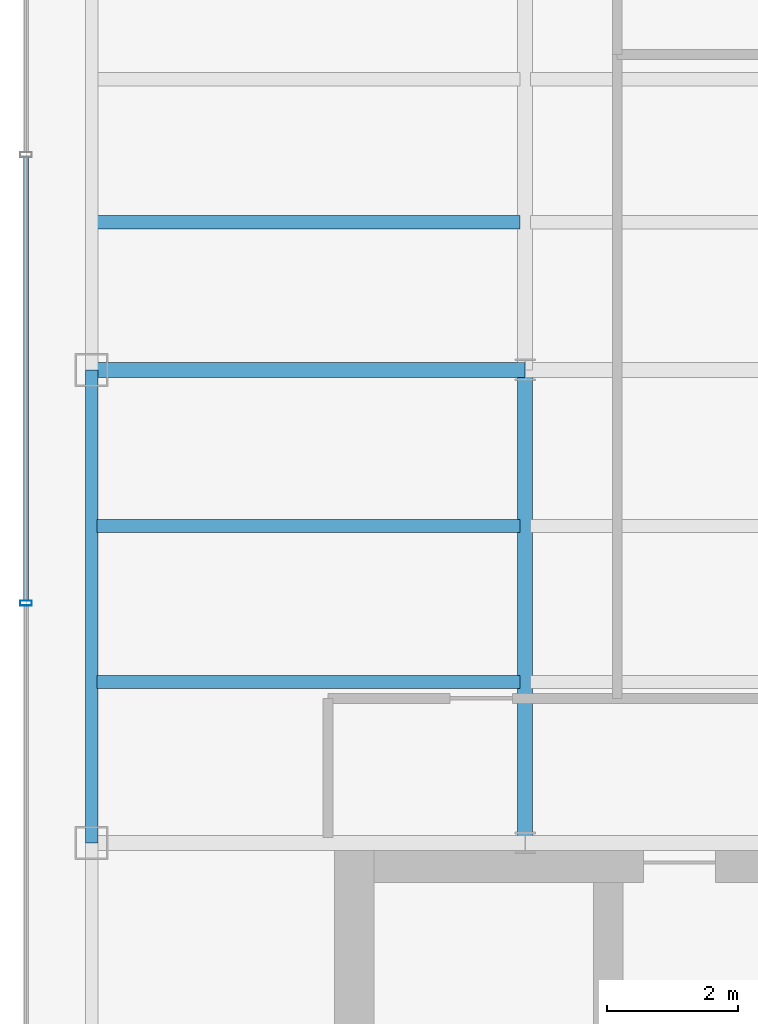
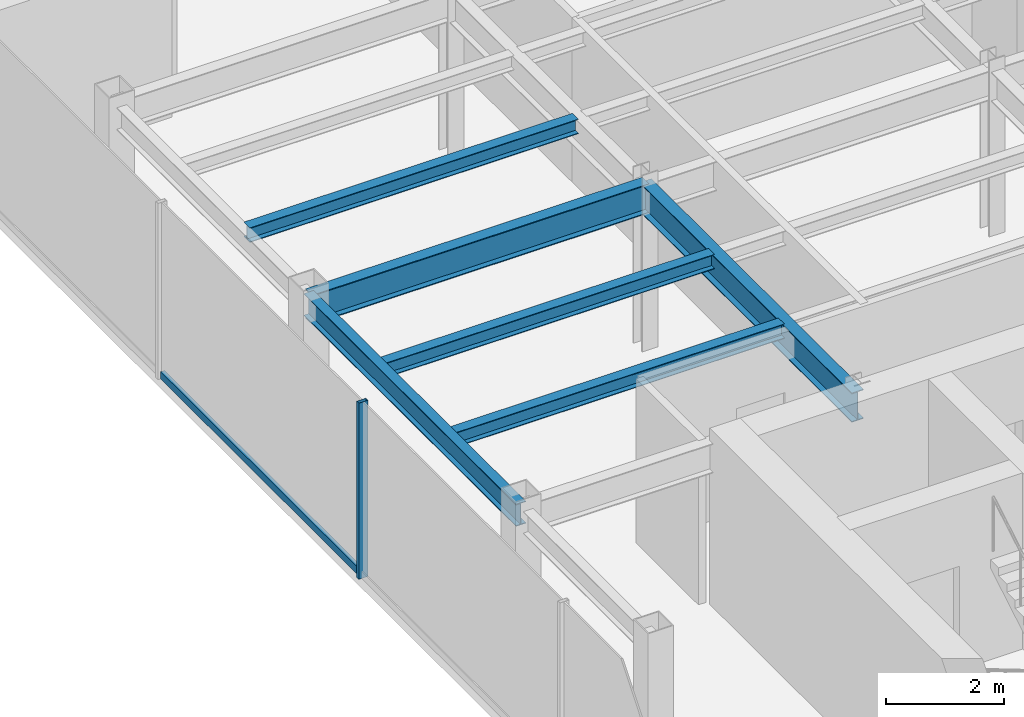
# One storey, part 5 of 22: 6 beams, 2 members, 1 element without a shape of its own.
"""IFC4 building model written with IfcOpenShell, lengths in metres."""

from ifc_helpers import new_model, si_unit, derived_unit, direction, frame, origin, origin_2d, place, context, subcontext, project, spatial, hollow_rectangle, i_section, extrude, source, transform, mapped, material, material_profile, profile_set, type_object, element, aggregate, save


model = new_model("IFC4")

# Units and contexts
model_context = context("Model", 3, precision=1e-05, world=origin(), true_north=direction((0.0, 1.0)))
body_context = subcontext(model_context, "Body", "Model", "MODEL_VIEW")
ifc_project = project(units=[si_unit("LENGTHUNIT", "METRE"), si_unit("AREAUNIT", "SQUARE_METRE"), si_unit("VOLUMEUNIT", "CUBIC_METRE"), si_unit("PLANEANGLEUNIT", "RADIAN"), si_unit("MASSUNIT", "GRAM", prefix="KILO"), derived_unit("THERMALTRANSMITTANCEUNIT", [(si_unit("POWERUNIT", "WATT"), 1), (si_unit("LENGTHUNIT", "METRE"), -2), (si_unit("THERMODYNAMICTEMPERATUREUNIT", "KELVIN"), -1)])], contexts=[model_context])

# Site, building, storey
site_placement = place(None, origin())
site = spatial("IfcSite", under=ifc_project, at=site_placement, CompositionType="ELEMENT")
building_placement = place(site_placement, origin())
building = spatial("IfcBuilding", under=site, at=building_placement, Name="Skarnbrae Concourse Arena and Tower", CompositionType="ELEMENT")
storey_placement = place(building_placement, frame((0.0, 0.0, 280.699951171875)))
storey = spatial("IfcBuildingStorey", under=building, at=storey_placement, Name="L73", CompositionType="ELEMENT", Elevation=280.699951171875)

# Beams
ifc_material_1 = material(Name="Steel CSA G40.21 350W", Category="steel")
ifc_material_profile_1 = material_profile(ifc_material_1, i_section(OverallWidth=0.22802734375, OverallDepth=0.60791015625, WebThickness=0.01123046875, FlangeThickness=0.017333984375, at=origin_2d()), Name="W610X113")
ifc_profile_set_1 = profile_set([ifc_material_profile_1], Name="Steel CSA G40.21 350W")
beam_type_1 = type_object("IfcBeamType", Name="BM-GIRD-W610X113", PredefinedType="BEAM", material=ifc_profile_set_1)
shared_shape_1 = source(origin(), body_context, "Body", "SweptSolid", [
    extrude(i_section(OverallWidth=0.22802734375, OverallDepth=0.60791015625, WebThickness=0.01123046875, FlangeThickness=0.017333984375, at=origin_2d()), origin(), (0.0, 0.0, 1.0), 6.60009765625),
])
beam_1_placement = place(storey_placement, frame((1.0, 21.199951171875, 3.095947265625), z_axis=(1.0, 0.0, 0.0), x_axis=(0.0, 1.0, 0.0)))
element("IfcBeam", 1, at=beam_1_placement, inside=storey, type_object=beam_type_1, Name="L73 Primary E-W girder Y21.2-1", PredefinedType="BEAM", context=body_context, shape_type="MappedRepresentation", body=[
    mapped(shared_shape_1, transform((0.0, 0.0, 0.0))),
])
ifc_material_profile_2 = material_profile(ifc_material_1, i_section(OverallWidth=0.19091796875, OverallDepth=0.4599609375, WebThickness=0.010009765625, FlangeThickness=0.01611328125, at=origin_2d()), Name="W460X82")
ifc_profile_set_2 = profile_set([ifc_material_profile_2], Name="Steel CSA G40.21 350W")
beam_type_2 = type_object("IfcBeamType", Name="BM-SPAN-W460X82", PredefinedType="SPANDREL", material=ifc_profile_set_2)
shared_shape_2 = source(origin(), body_context, "Body", "SweptSolid", [
    extrude(i_section(OverallWidth=0.19091796875, OverallDepth=0.4599609375, WebThickness=0.010009765625, FlangeThickness=0.01611328125, at=origin_2d()), origin(), (0.0, 0.0, 1.0), 7.199951171875),
])
beam_2_placement = place(storey_placement, frame((1.0, 14.0, 3.170166015625), z_axis=(0.0, 1.0, 0.0), x_axis=(-1.0, 0.0, 0.0)))
element("IfcBeam", 2, at=beam_2_placement, inside=storey, type_object=beam_type_2, Name="L73 Perimeter spandrel X1.0-2", PredefinedType="SPANDREL", context=body_context, shape_type="MappedRepresentation", body=[
    mapped(shared_shape_2, transform((0.0, 0.0, 0.0))),
])
shared_shape_3 = source(origin(), body_context, "Body", "SweptSolid", [
    extrude(i_section(OverallWidth=0.22802734375, OverallDepth=0.60791015625, WebThickness=0.01123046875, FlangeThickness=0.017333984375, at=origin_2d()), origin(), (0.0, 0.0, 1.0), 7.199951171875),
])
beam_3_placement = place(storey_placement, frame((7.60009765625, 14.0, 3.095947265625), z_axis=(0.0, 1.0, 0.0), x_axis=(-1.0, 0.0, 0.0)))
element("IfcBeam", 3, at=beam_3_placement, inside=storey, type_object=beam_type_1, Name="L73 Primary N-S girder X7.6-1", PredefinedType="BEAM", context=body_context, shape_type="MappedRepresentation", body=[
    mapped(shared_shape_3, transform((0.0, 0.0, 0.0))),
])
ifc_material_profile_3 = material_profile(ifc_material_1, i_section(OverallWidth=0.202880859375, OverallDepth=0.302978515625, WebThickness=0.007568359375, FlangeThickness=0.01318359375, at=origin_2d()), Name="W310X60")
ifc_profile_set_3 = profile_set([ifc_material_profile_3], Name="Steel CSA G40.21 350W")
beam_type_3 = type_object("IfcBeamType", Name="BM-JOIST-W310X60", PredefinedType="JOIST", material=ifc_profile_set_3)
shared_shape_4 = source(origin(), body_context, "Body", "SweptSolid", [
    extrude(i_section(OverallWidth=0.202880859375, OverallDepth=0.302978515625, WebThickness=0.007568359375, FlangeThickness=0.01318359375, at=origin_2d()), origin(), (0.0, 0.0, 1.0), 6.43994140625),
])
for number, where, z_axis, x_axis, name in (
    (4, (1.080078125, 16.447998046875, 3.24853515625), (1.0, 0.0, 0.0), (0.0, 1.0, 0.0), "L73 Secondary floor joist 1.1.1"),
    (5, (1.080078125, 18.823974609375, 3.24853515625), (1.0, 0.0, 0.0), (0.0, 1.0, 0.0), "L73 Secondary floor joist 1.2.1"),
    (6, (1.080078125, 23.444091796875, 3.24853515625), (1.0, 0.0, 0.0), (0.0, 1.0, 0.0), "L73 Secondary floor joist 2.1.1"),
):
    element("IfcBeam", number, at=place(storey_placement, frame(where, z_axis=z_axis, x_axis=x_axis)), inside=storey, type_object=beam_type_3, Name=name, PredefinedType="JOIST", context=body_context, shape_type="MappedRepresentation", body=[
        mapped(shared_shape_4, transform((0.0, 0.0, 0.0))),
    ])

# Curtain wall, members
ifc_material_2 = material(Name="Bronze anodised aluminium 6063-T6", Category="aluminium")
curtain_wall_type = type_object("IfcCurtainWallType", Name="CW-SYS-05-HIGHZONE", PredefinedType="USERDEFINED", material=ifc_material_2)
curtain_wall_placement = place(storey_placement, origin())
curtain_wall = element("IfcCurtainWall", 7, at=curtain_wall_placement, inside=storey, type_object=curtain_wall_type, Name="L73 Unitised curtain wall CW-L73-E18", ObjectType="UNITISED CURTAIN WALL", PredefinedType="USERDEFINED")
ifc_material_profile_4 = material_profile(ifc_material_2, hollow_rectangle(XDim=0.074951171875, YDim=0.14990234375, WallThickness=0.00390625, at=origin_2d()), Name="ALU-TRAN-75X150")
ifc_profile_set_4 = profile_set([ifc_material_profile_4], Name="Bronze anodised aluminium 6063-T6")
member_type_1 = type_object("IfcMemberType", Name="CWT-CW-05", PredefinedType="USERDEFINED", material=ifc_profile_set_4)
shared_shape_5 = source(origin(), body_context, "Body", "SweptSolid", [
    extrude(hollow_rectangle(XDim=0.074951171875, YDim=0.14990234375, WallThickness=0.00390625, at=origin_2d()), origin(), (0.0, 0.0, 1.0), 6.75),
])
member_1_placement = place(storey_placement, frame((0.0, 24.4375, 0.074951171875), z_axis=(0.0, -1.0, 0.0), x_axis=(1.0, 0.0, 0.0)))
member_1 = element("IfcMember", 8, at=member_1_placement, type_object=member_type_1, Name="CW-L73-E18 Transom 2", ObjectType="TRANSOM", PredefinedType="USERDEFINED", context=body_context, shape_type="MappedRepresentation", body=[
    mapped(shared_shape_5, transform((0.0, 0.0, 0.0))),
])
ifc_material_profile_5 = material_profile(ifc_material_2, hollow_rectangle(XDim=0.074951171875, YDim=0.179931640625, WallThickness=0.00390625, at=origin_2d()), Name="ALU-MULL-75X180")
ifc_profile_set_5 = profile_set([ifc_material_profile_5], Name="Bronze anodised aluminium 6063-T6")
member_type_2 = type_object("IfcMemberType", Name="CWM-CW-05", PredefinedType="MULLION", material=ifc_profile_set_5)
shared_shape_6 = source(origin(), body_context, "Body", "SweptSolid", [
    extrude(hollow_rectangle(XDim=0.074951171875, YDim=0.179931640625, WallThickness=0.00390625, at=origin_2d()), origin(), (0.0, 0.0, 1.0), 3.650146484375),
])
member_2_placement = place(storey_placement, frame((0.0, 17.64990234375, 0.0), z_axis=(0.0, 0.0, 1.0), x_axis=(0.0, -1.0, 0.0)))
member_2 = element("IfcMember", 9, at=member_2_placement, type_object=member_type_2, Name="CW-L73-E18 Mullion 3", PredefinedType="MULLION", context=body_context, shape_type="MappedRepresentation", body=[
    mapped(shared_shape_6, transform((0.0, 0.0, 0.0))),
])
aggregate(curtain_wall, [member_2, member_1])

save(model, "model.ifc")
